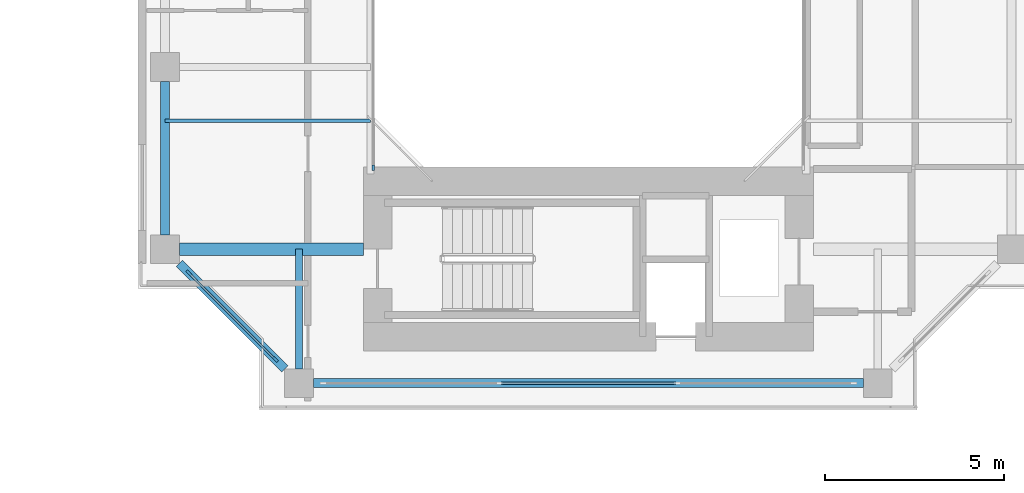
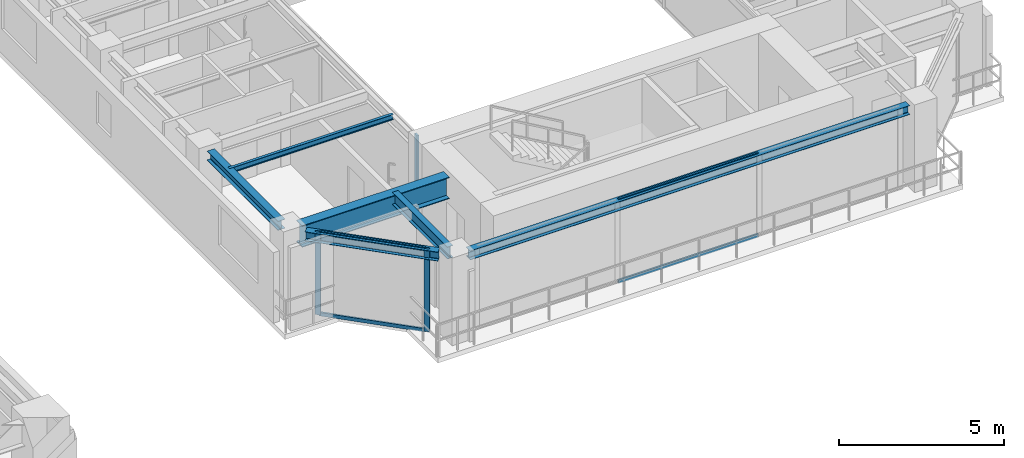
# One storey, part 6 of 23: 7 members, 6 beams, 3 elements without a shape of their own.
"""IFC4 building model written with IfcOpenShell, lengths in metres."""

from ifc_helpers import new_model, si_unit, direction, frame, origin, origin_2d, place, context, subcontext, project, spatial, rectangle, i_section, extrude, source, transform, mapped, material, layer, layer_set, material_profile, profile_set, type_object, element, aggregate, save


model = new_model("IFC4")

# Units and contexts
model_context = context("Model", 3, precision=1e-05, world=origin(), true_north=direction((0.0, 1.0)))
body_context = subcontext(model_context, "Body", "Model", "MODEL_VIEW")
ifc_project = project(units=[si_unit("LENGTHUNIT", "METRE"), si_unit("AREAUNIT", "SQUARE_METRE"), si_unit("VOLUMEUNIT", "CUBIC_METRE"), si_unit("PLANEANGLEUNIT", "RADIAN"), si_unit("MASSUNIT", "GRAM", prefix="KILO"), si_unit("THERMODYNAMICTEMPERATUREUNIT", "KELVIN"), si_unit("POWERUNIT", "WATT")], contexts=[model_context])

# Site, building, storey
site_placement = place(None, origin())
site = spatial("IfcSite", under=ifc_project, at=site_placement, CompositionType="ELEMENT")
building_placement = place(site_placement, origin())
building = spatial("IfcBuilding", under=site, at=building_placement, Name="Qiaomeng Ring Towers", CompositionType="ELEMENT")
storey_placement = place(building_placement, frame((0.0, 0.0, 73.0)))
storey = spatial("IfcBuildingStorey", under=building, at=storey_placement, Name="L20", CompositionType="ELEMENT", Elevation=73.0)

# Beams
ifc_material_1 = material(Name="Steel Q355B", Category="steel")
ifc_material_profile_1 = material_profile(ifc_material_1, i_section(OverallWidth=0.25, OverallDepth=0.340087890625, WebThickness=0.009033203125, FlangeThickness=0.013916015625, FilletRadius=0.02001953125, at=origin_2d()), Name="HM 340x250x9x14")
ifc_profile_set_1 = profile_set([ifc_material_profile_1], Name="Steel Q355B")
beam_type_1 = type_object("IfcBeamType", Name="STR-BM-HM340", PredefinedType="SPANDREL", material=ifc_profile_set_1)
shared_shape_1 = source(origin(), body_context, "Body", "SweptSolid", [
    extrude(i_section(OverallWidth=0.25, OverallDepth=0.340087890625, WebThickness=0.009033203125, FlangeThickness=0.013916015625, FilletRadius=0.02001953125, at=origin_2d()), origin(), (0.0, 0.0, 1.0), 15.40185546875),
])
beam_1_placement = place(storey_placement, frame((52.799072265625, 11.14990234375, 2.89990234375), z_axis=(1.0, 0.0, 0.0), x_axis=(0.0, 1.0, 0.0)))
element("IfcBeam", 1, at=beam_1_placement, inside=storey, type_object=beam_type_1, Name="L20 beam STR-SP-L20-T2-S1-S2", PredefinedType="SPANDREL", context=body_context, shape_type="MappedRepresentation", body=[
    mapped(shared_shape_1, transform((0.0, 0.0, 0.0), x_axis=(1.0, 0.0, 0.0), y_axis=(0.0, 1.0, 0.0), z_axis=(0.0, 0.0, 1.0), scale=1.0)),
])
shared_shape_2 = source(origin(), body_context, "Body", "SweptSolid", [
    extrude(i_section(OverallWidth=0.25, OverallDepth=0.340087890625, WebThickness=0.009033203125, FlangeThickness=0.013916015625, FilletRadius=0.02001953125, at=origin_2d()), origin(), (0.0, 0.0, 1.0), 4.173828125),
])
beam_2_placement = place(storey_placement, frame((49.04931640625, 14.500732421875, 2.89990234375), z_axis=(0.707106781187, -0.707106781187, 0.0), x_axis=(0.707106781187, 0.707106781187, 0.0)))
element("IfcBeam", 2, at=beam_2_placement, inside=storey, type_object=beam_type_1, Name="L20 beam STR-SP-L20-T2-W1-S1", PredefinedType="SPANDREL", context=body_context, shape_type="MappedRepresentation", body=[
    mapped(shared_shape_2, transform((0.0, 0.0, 0.0), x_axis=(1.0, 0.0, 0.0), y_axis=(0.0, 1.0, 0.0), z_axis=(0.0, 0.0, 1.0), scale=1.0)),
])
shared_shape_3 = source(origin(), body_context, "Body", "SweptSolid", [
    extrude(i_section(OverallWidth=0.25, OverallDepth=0.340087890625, WebThickness=0.009033203125, FlangeThickness=0.013916015625, FilletRadius=0.02001953125, at=origin_2d()), origin(), (0.0, 0.0, 1.0), 4.302001953125),
])
beam_3_placement = place(storey_placement, frame((48.64990234375, 19.60107421875, 2.89990234375), z_axis=(0.0, -1.0, 0.0), x_axis=(1.0, 0.0, 0.0)))
element("IfcBeam", 3, at=beam_3_placement, inside=storey, type_object=beam_type_1, Name="L20 beam STR-SP-L20-T2-W2-W1", PredefinedType="SPANDREL", context=body_context, shape_type="MappedRepresentation", body=[
    mapped(shared_shape_3, transform((0.0, 0.0, 0.0), x_axis=(1.0, 0.0, 0.0), y_axis=(0.0, 1.0, 0.0), z_axis=(0.0, 0.0, 1.0), scale=1.0)),
])
ifc_material_2 = material(Name="Steel Q390GJC", Category="steel")
ifc_material_profile_2 = material_profile(ifc_material_2, i_section(OverallWidth=0.35009765625, OverallDepth=0.800048828125, WebThickness=0.01611328125, FlangeThickness=0.028076171875, at=origin_2d()), Name="WH 800x350x16x28")
ifc_profile_set_2 = profile_set([ifc_material_profile_2], Name="Steel Q390GJC")
beam_type_2 = type_object("IfcBeamType", Name="STR-BM-WH800", PredefinedType="BEAM", material=ifc_profile_set_2)
shared_shape_4 = source(origin(), body_context, "Body", "SweptSolid", [
    extrude(i_section(OverallWidth=0.35009765625, OverallDepth=0.800048828125, WebThickness=0.01611328125, FlangeThickness=0.028076171875, at=origin_2d()), origin(), (0.0, 0.0, 1.0), 5.15087890625),
])
beam_4_placement = place(storey_placement, frame((49.049072265625, 14.89990234375, 2.669921875), z_axis=(1.0, 0.0, 0.0), x_axis=(0.0, 1.0, 0.0)))
element("IfcBeam", 4, at=beam_4_placement, inside=storey, type_object=beam_type_2, Name="L20 beam STR-BM-L20-T2-RAD-W1", PredefinedType="BEAM", context=body_context, shape_type="MappedRepresentation", body=[
    mapped(shared_shape_4, transform((0.0, 0.0, 0.0), x_axis=(1.0, 0.0, 0.0), y_axis=(0.0, 1.0, 0.0), z_axis=(0.0, 0.0, 1.0), scale=1.0)),
])
ifc_material_profile_3 = material_profile(ifc_material_1, i_section(OverallWidth=0.199951171875, OverallDepth=0.449951171875, WebThickness=0.009033203125, FlangeThickness=0.013916015625, FilletRadius=0.01806640625, at=origin_2d()), Name="HN 450x200x9x14")
ifc_profile_set_3 = profile_set([ifc_material_profile_3], Name="Steel Q355B")
beam_type_3 = type_object("IfcBeamType", Name="STR-BM-HN450", PredefinedType="SPANDREL", material=ifc_profile_set_3)
shared_shape_5 = source(origin(), body_context, "Body", "SweptSolid", [
    extrude(i_section(OverallWidth=0.199951171875, OverallDepth=0.449951171875, WebThickness=0.009033203125, FlangeThickness=0.013916015625, FilletRadius=0.01806640625, at=origin_2d()), origin(), (0.0, 0.0, 1.0), 3.350830078125),
])
beam_5_placement = place(storey_placement, frame((52.39990234375, 11.549072265625, 2.844970703125), z_axis=(0.0, 1.0, 0.0), x_axis=(-1.0, 0.0, 0.0)))
element("IfcBeam", 5, at=beam_5_placement, inside=storey, type_object=beam_type_3, Name="L20 beam STR-BM-L20-T2-RAD-S1", PredefinedType="SPANDREL", context=body_context, shape_type="MappedRepresentation", body=[
    mapped(shared_shape_5, transform((0.0, 0.0, 0.0), x_axis=(1.0, 0.0, 0.0), y_axis=(0.0, 1.0, 0.0), z_axis=(0.0, 0.0, 1.0), scale=1.0)),
])
ifc_material_profile_4 = material_profile(ifc_material_1, i_section(OverallWidth=0.10009765625, OverallDepth=0.199951171875, WebThickness=0.005615234375, FlangeThickness=0.008056640625, FilletRadius=0.010986328125, at=origin_2d()), Name="HN 200x100x5.5x8")
ifc_profile_set_4 = profile_set([ifc_material_profile_4], Name="Steel Q355B")
beam_type_4 = type_object("IfcBeamType", Name="STR-BM-HN200", PredefinedType="JOIST", material=ifc_profile_set_4)
shared_shape_6 = source(origin(), body_context, "Body", "SweptSolid", [
    extrude(i_section(OverallWidth=0.10009765625, OverallDepth=0.199951171875, WebThickness=0.005615234375, FlangeThickness=0.008056640625, FilletRadius=0.010986328125, at=origin_2d()), origin(), (0.0, 0.0, 1.0), 5.75),
])
beam_6_placement = place(storey_placement, frame((48.64990234375, 18.5, 2.969970703125), z_axis=(1.0, 0.0, 0.0), x_axis=(0.0, 1.0, 0.0)))
element("IfcBeam", 6, at=beam_6_placement, inside=storey, type_object=beam_type_4, Name="L20 beam STR-JST-L20-T2W-1", PredefinedType="JOIST", context=body_context, shape_type="MappedRepresentation", body=[
    mapped(shared_shape_6, transform((0.0, 0.0, 0.0), x_axis=(1.0, 0.0, 0.0), y_axis=(0.0, 1.0, 0.0), z_axis=(0.0, 0.0, 1.0), scale=1.0)),
])

# Curtain wall, member
ifc_material_3 = material(Name="Fluorocarbon dark-grey aluminium", Category="aluminium")
ifc_layer_1 = layer(ifc_material_3, 0.139892578125, Name="Fluorocarbon dark-grey aluminium")
ifc_layer_set_1 = layer_set([ifc_layer_1], Name="Fluorocarbon dark-grey aluminium")
curtain_wall_type_1 = type_object("IfcCurtainWallType", Name="ARC-CW-4", PredefinedType="NOTDEFINED", material=ifc_layer_set_1)
curtain_wall_1_placement = place(storey_placement, origin())
curtain_wall_1 = element("IfcCurtainWall", 7, at=curtain_wall_1_placement, inside=storey, type_object=curtain_wall_type_1, Name="L20 Curtain Wall CW4", PredefinedType="NOTDEFINED")
ifc_material_profile_5 = material_profile(ifc_material_3, rectangle(XDim=0.06494140625, YDim=0.159912109375, at=origin_2d()), Name="ALU MULL 65x160")
ifc_profile_set_5 = profile_set([ifc_material_profile_5], Name="Fluorocarbon dark-grey aluminium")
member_type_1 = type_object("IfcMemberType", Name="ARC-CWM-140", PredefinedType="MULLION", material=ifc_profile_set_5)
shared_shape_7 = source(origin(), body_context, "Body", "SweptSolid", [
    extrude(rectangle(XDim=0.06494140625, YDim=0.159912109375, at=origin_2d()), origin(), (0.0, 0.0, 1.0), 3.070068359375),
])
member_1_placement = place(storey_placement, frame((54.47998046875, 17.1826171875, 0.0), z_axis=(0.0, 0.0, 1.0), x_axis=(-1.0, 0.0, 0.0)))
member_1 = element("IfcMember", 8, at=member_1_placement, type_object=member_type_1, Name="CW4 mullion 1", PredefinedType="MULLION", context=body_context, shape_type="MappedRepresentation", body=[
    mapped(shared_shape_7, transform((0.0, 0.0, 0.0), x_axis=(1.0, 0.0, 0.0), y_axis=(0.0, 1.0, 0.0), z_axis=(0.0, 0.0, 1.0), scale=1.0)),
])
aggregate(curtain_wall_1, [member_1])

# Curtain wall, members
ifc_layer_2 = layer(ifc_material_3, 0.14990234375, Name="Fluorocarbon dark-grey aluminium")
ifc_layer_set_2 = layer_set([ifc_layer_2], Name="Fluorocarbon dark-grey aluminium")
curtain_wall_type_2 = type_object("IfcCurtainWallType", Name="ARC-CW-5", PredefinedType="NOTDEFINED", material=ifc_layer_set_2)
curtain_wall_2_placement = place(storey_placement, origin())
curtain_wall_2 = element("IfcCurtainWall", 9, at=curtain_wall_2_placement, inside=storey, type_object=curtain_wall_type_2, Name="L20 Curtain Wall CW5", PredefinedType="NOTDEFINED")
ifc_material_profile_6 = material_profile(ifc_material_3, rectangle(XDim=0.070068359375, YDim=0.179931640625, at=origin_2d()), Name="ALU MULL 70x180")
ifc_profile_set_6 = profile_set([ifc_material_profile_6], Name="Fluorocarbon dark-grey aluminium")
member_type_2 = type_object("IfcMemberType", Name="ARC-CWM-160", PredefinedType="MULLION", material=ifc_profile_set_6)
shared_shape_8 = source(origin(), body_context, "Body", "SweptSolid", [
    extrude(rectangle(XDim=0.070068359375, YDim=0.179931640625, at=origin_2d()), origin(), (0.0, 0.0, 1.0), 3.070068359375),
])
member_2_placement = place(storey_placement, frame((49.314697265625, 14.2353515625, 0.0), z_axis=(0.0, 0.0, 1.0), x_axis=(0.707106781187, 0.707106781187, 0.0)))
member_2 = element("IfcMember", 10, at=member_2_placement, type_object=member_type_2, Name="CW5 mullion 1", PredefinedType="MULLION", context=body_context, shape_type="MappedRepresentation", body=[
    mapped(shared_shape_8, transform((0.0, 0.0, 0.0), x_axis=(1.0, 0.0, 0.0), y_axis=(0.0, 1.0, 0.0), z_axis=(0.0, 0.0, 1.0), scale=1.0)),
])
member_3_placement = place(storey_placement, frame((51.7353515625, 11.814697265625, 0.0), z_axis=(0.0, 0.0, 1.0), x_axis=(0.707106781187, 0.707106781187, 0.0)))
member_3 = element("IfcMember", 11, at=member_3_placement, type_object=member_type_2, Name="CW5 mullion 2", PredefinedType="MULLION", context=body_context, shape_type="MappedRepresentation", body=[
    mapped(shared_shape_8, transform((0.0, 0.0, 0.0), x_axis=(1.0, 0.0, 0.0), y_axis=(0.0, 1.0, 0.0), z_axis=(0.0, 0.0, 1.0), scale=1.0)),
])

curtain_wall_3_placement = place(storey_placement, origin())
curtain_wall_3 = element("IfcCurtainWall", 12, at=curtain_wall_3_placement, inside=storey, type_object=curtain_wall_type_2, Name="L20 Curtain Wall CW5", PredefinedType="NOTDEFINED")
ifc_material_profile_7 = material_profile(ifc_material_3, rectangle(XDim=0.06494140625, YDim=0.1298828125, at=origin_2d()), Name="ALU TRAN 65x130")
ifc_profile_set_7 = profile_set([ifc_material_profile_7], Name="Fluorocarbon dark-grey aluminium")
member_type_3 = type_object("IfcMemberType", Name="ARC-CWT-120", PredefinedType="USERDEFINED", material=ifc_profile_set_7)
shared_shape_9 = source(origin(), body_context, "Body", "SweptSolid", [
    extrude(rectangle(XDim=0.06494140625, YDim=0.1298828125, at=origin_2d()), origin(), (0.0, 0.0, 1.0), 4.9033203125),
])
member_4_placement = place(storey_placement, frame((58.04833984375, 11.14990234375, 0.032470703125), z_axis=(1.0, 0.0, 0.0), x_axis=(0.0, 1.0, 0.0)))
member_4 = element("IfcMember", 13, at=member_4_placement, type_object=member_type_3, Name="CW5 transom 2.1", ObjectType="TRANSOM", PredefinedType="USERDEFINED", context=body_context, shape_type="MappedRepresentation", body=[
    mapped(shared_shape_9, transform((0.0, 0.0, 0.0), x_axis=(1.0, 0.0, 0.0), y_axis=(0.0, 1.0, 0.0), z_axis=(0.0, 0.0, 1.0), scale=1.0)),
])
member_5_placement = place(storey_placement, frame((58.04833984375, 11.14990234375, 3.03759765625), z_axis=(1.0, 0.0, 0.0), x_axis=(0.0, 1.0, 0.0)))
member_5 = element("IfcMember", 14, at=member_5_placement, type_object=member_type_3, Name="CW5 transom 2.2", ObjectType="TRANSOM", PredefinedType="USERDEFINED", context=body_context, shape_type="MappedRepresentation", body=[
    mapped(shared_shape_9, transform((0.0, 0.0, 0.0), x_axis=(1.0, 0.0, 0.0), y_axis=(0.0, 1.0, 0.0), z_axis=(0.0, 0.0, 1.0), scale=1.0)),
])
aggregate(curtain_wall_3, [member_4, member_5])

# Member
shared_shape_10 = source(origin(), body_context, "Body", "SweptSolid", [
    extrude(rectangle(XDim=0.06494140625, YDim=0.1298828125, at=origin_2d()), origin(), (0.0, 0.0, 1.0), 3.352783203125),
])
member_6_placement = place(storey_placement, frame((49.339599609375, 14.21044921875, 0.032470703125), z_axis=(0.707106781187, -0.707106781187, 0.0), x_axis=(0.707106781187, 0.707106781187, 0.0)))
member_6 = element("IfcMember", 15, at=member_6_placement, type_object=member_type_3, Name="CW5 transom 1.1", ObjectType="TRANSOM", PredefinedType="USERDEFINED", context=body_context, shape_type="MappedRepresentation", body=[
    mapped(shared_shape_10, transform((0.0, 0.0, 0.0), x_axis=(1.0, 0.0, 0.0), y_axis=(0.0, 1.0, 0.0), z_axis=(0.0, 0.0, 1.0), scale=1.0)),
])

member_7_placement = place(storey_placement, frame((49.339599609375, 14.21044921875, 3.03759765625), z_axis=(0.707106781187, -0.707106781187, 0.0), x_axis=(0.707106781187, 0.707106781187, 0.0)))
member_7 = element("IfcMember", 16, at=member_7_placement, type_object=member_type_3, Name="CW5 transom 1.2", ObjectType="TRANSOM", PredefinedType="USERDEFINED", context=body_context, shape_type="MappedRepresentation", body=[
    mapped(shared_shape_10, transform((0.0, 0.0, 0.0), x_axis=(1.0, 0.0, 0.0), y_axis=(0.0, 1.0, 0.0), z_axis=(0.0, 0.0, 1.0), scale=1.0)),
])

aggregate(curtain_wall_2, [member_2, member_3, member_6, member_7])

save(model, "model.ifc")
